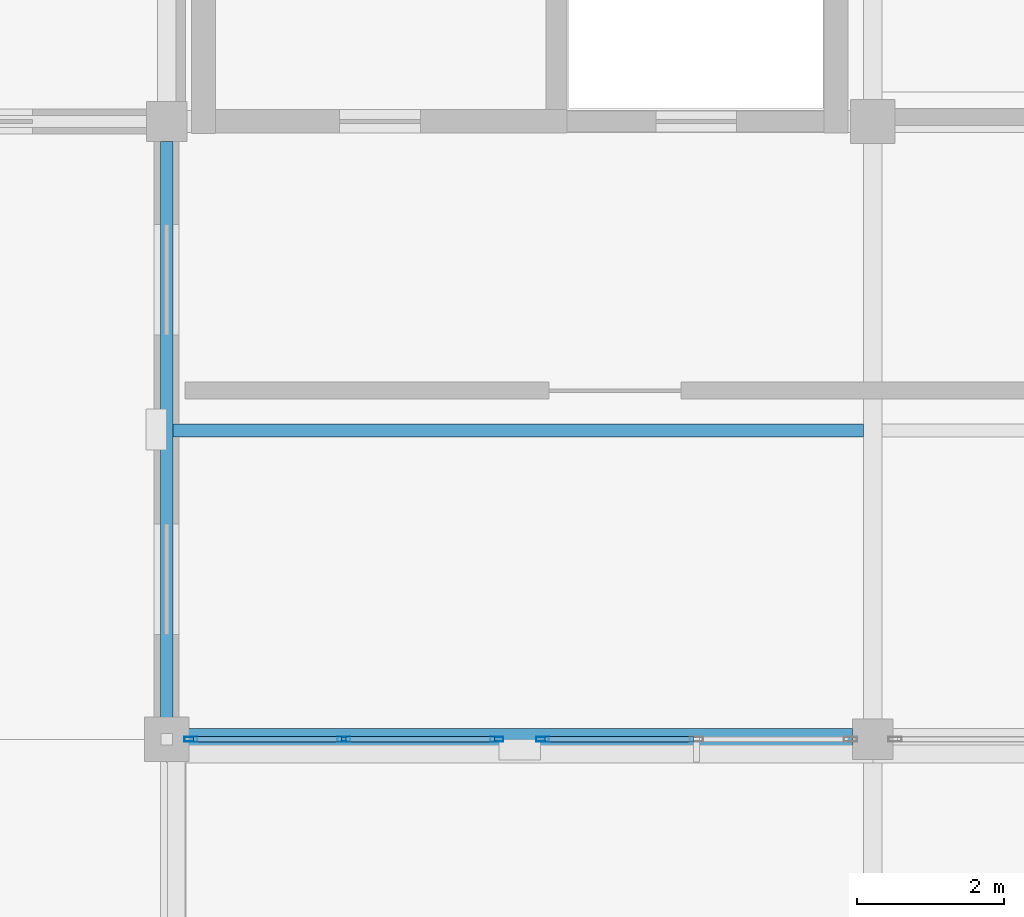
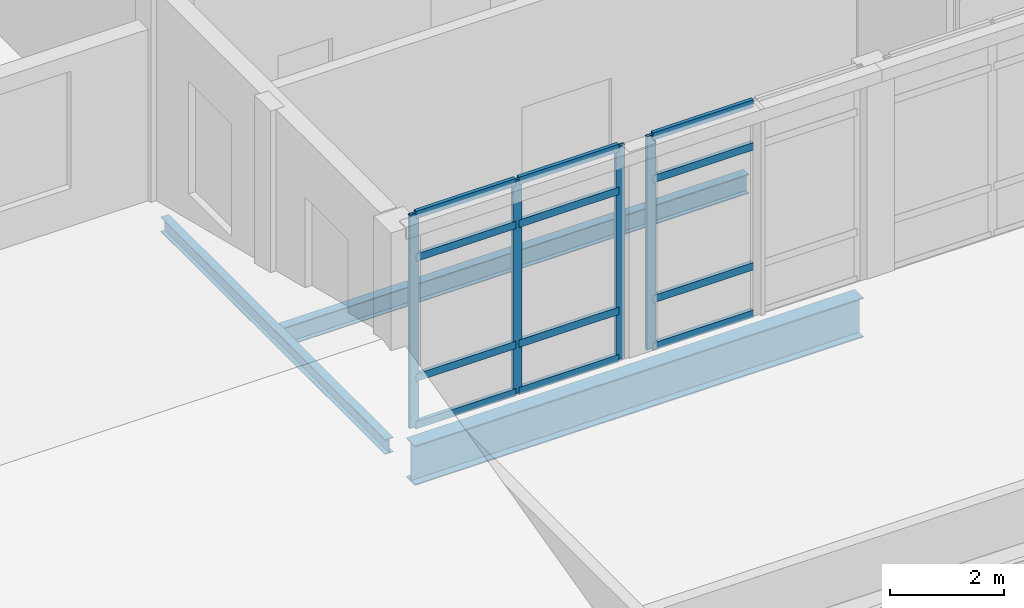
# One storey, part 12 of 52: 16 members, 3 beams, 2 elements without a shape of their own.
"""IFC4 building model written with IfcOpenShell, lengths in metres."""

from ifc_helpers import new_model, si_unit, direction, frame, origin, origin_2d, place, context, subcontext, project, spatial, hollow_rectangle, i_section, extrude, material, layer, layer_set, material_profile, profile_set, type_object, element, aggregate, save


model = new_model("IFC4")

# Units and contexts
model_context = context("Model", 3, precision=1e-05, world=origin(), true_north=direction((0.0, 1.0)))
body_context = subcontext(model_context, "Body", "Model", "MODEL_VIEW")
ifc_project = project(units=[si_unit("LENGTHUNIT", "METRE"), si_unit("AREAUNIT", "SQUARE_METRE"), si_unit("VOLUMEUNIT", "CUBIC_METRE"), si_unit("PLANEANGLEUNIT", "RADIAN"), si_unit("MASSUNIT", "GRAM", prefix="KILO")], contexts=[model_context])

# Site, building, storey
site_placement = place(None, origin())
site = spatial("IfcSite", under=ifc_project, at=site_placement, CompositionType="ELEMENT")
building_placement = place(site_placement, origin())
building = spatial("IfcBuilding", under=site, at=building_placement, Name="Lornevale Opera House", CompositionType="ELEMENT")
storey_placement = place(building_placement, frame((0.0, 0.0, 15.0)))
storey = spatial("IfcBuildingStorey", under=building, at=storey_placement, Name="L04", CompositionType="ELEMENT", Elevation=15.0)

# Curtain wall, member
ifc_material_1 = material(Name="Anodized Oxide-Green Aluminium Framing", Category="aluminium")
ifc_layer = layer(ifc_material_1, 0.18505859375)
ifc_layer_set = layer_set([ifc_layer], Name="Anodized Oxide-Green Aluminium Framing")
curtain_wall_type = type_object("IfcCurtainWallType", Name="Conservatory Curtain Wall M2100", PredefinedType="NOTDEFINED", material=ifc_layer_set)
curtain_wall_1_placement = place(storey_placement, origin())
curtain_wall_1 = element("IfcCurtainWall", 1, at=curtain_wall_1_placement, inside=storey, type_object=curtain_wall_type, Name="Conservatory Curtain Wall M2100 CW-149", PredefinedType="NOTDEFINED")
ifc_material_profile_1 = material_profile(ifc_material_1, hollow_rectangle(XDim=0.06494140625, YDim=0.179931640625, WallThickness=0.0048828125, at=origin_2d()), Name="ALU65x180x5")
ifc_profile_set_1 = profile_set([ifc_material_profile_1], Name="Anodized Oxide-Green Aluminium Framing")
member_type_1 = type_object("IfcMemberType", Name="Curtain Wall Mullion 65x180", PredefinedType="MULLION", material=ifc_profile_set_1)
member_1_placement = place(storey_placement, frame((110.71240234375, 25.199951171875, 0.0), z_axis=(0.0, 0.0, 1.0), x_axis=(0.0, -1.0, 0.0)))
member_1 = element("IfcMember", 2, at=member_1_placement, type_object=member_type_1, Name="Curtain Wall Mullion 65x180 CW3087", PredefinedType="MULLION", context=body_context, shape_type="SweptSolid", body=[
    extrude(hollow_rectangle(XDim=0.06494140625, YDim=0.179931640625, WallThickness=0.0048828125, at=origin_2d()), origin(), (0.0, 0.0, 1.0), 4.56005859375),
])

# Curtain wall, members
curtain_wall_2_placement = place(storey_placement, origin())
curtain_wall_2 = element("IfcCurtainWall", 3, at=curtain_wall_2_placement, inside=storey, type_object=curtain_wall_type, Name="Conservatory Curtain Wall M2100 CW-150", PredefinedType="NOTDEFINED")
member_2_placement = place(storey_placement, frame((110.08740234375, 25.199951171875, 0.0), z_axis=(0.0, 0.0, 1.0), x_axis=(0.0, -1.0, 0.0)))
member_2 = element("IfcMember", 4, at=member_2_placement, type_object=member_type_1, Name="Curtain Wall Mullion 65x180 CW3102", PredefinedType="MULLION", context=body_context, shape_type="SweptSolid", body=[
    extrude(hollow_rectangle(XDim=0.06494140625, YDim=0.179931640625, WallThickness=0.0048828125, at=origin_2d()), origin(), (0.0, 0.0, 1.0), 4.56005859375),
])
member_3_placement = place(storey_placement, frame((108.008056640625, 25.199951171875, 0.0), z_axis=(0.0, 0.0, 1.0), x_axis=(0.0, -1.0, 0.0)))
member_3 = element("IfcMember", 5, at=member_3_placement, type_object=member_type_1, Name="Curtain Wall Mullion 65x180 CW3103", PredefinedType="MULLION", context=body_context, shape_type="SweptSolid", body=[
    extrude(hollow_rectangle(XDim=0.06494140625, YDim=0.179931640625, WallThickness=0.0048828125, at=origin_2d()), origin(), (0.0, 0.0, 1.0), 4.56005859375),
])
member_4_placement = place(storey_placement, frame((105.928466796875, 25.199951171875, 0.0), z_axis=(0.0, 0.0, 1.0), x_axis=(0.0, -1.0, 0.0)))
member_4 = element("IfcMember", 6, at=member_4_placement, type_object=member_type_1, Name="Curtain Wall Mullion 65x180 CW3104", PredefinedType="MULLION", context=body_context, shape_type="SweptSolid", body=[
    extrude(hollow_rectangle(XDim=0.06494140625, YDim=0.179931640625, WallThickness=0.0048828125, at=origin_2d()), origin(), (0.0, 0.0, 1.0), 4.56005859375),
])

# Member
ifc_material_profile_2 = material_profile(ifc_material_1, hollow_rectangle(XDim=0.074951171875, YDim=0.159912109375, WallThickness=0.0048828125, at=origin_2d()), Name="ALU75x160x5")
ifc_profile_set_2 = profile_set([ifc_material_profile_2], Name="Anodized Oxide-Green Aluminium Framing")
member_type_2 = type_object("IfcMemberType", Name="Curtain Wall Transom 75x160", PredefinedType="USERDEFINED", material=ifc_profile_set_2)
member_5_placement = place(storey_placement, frame((112.77197265625, 25.199951171875, 0.03759765625), z_axis=(-1.0, 0.0, 0.0), x_axis=(0.0, -1.0, 0.0)))
member_5 = element("IfcMember", 7, at=member_5_placement, type_object=member_type_2, Name="Curtain Wall Transom 75x160 CW3095", ObjectType="TRANSOM", PredefinedType="USERDEFINED", context=body_context, shape_type="SweptSolid", body=[
    extrude(hollow_rectangle(XDim=0.074951171875, YDim=0.159912109375, WallThickness=0.0048828125, at=origin_2d()), origin(), (0.0, 0.0, 1.0), 2.02685546875),
])

member_6_placement = place(storey_placement, frame((112.77197265625, 25.199951171875, 1.050048828125), z_axis=(-1.0, 0.0, 0.0), x_axis=(0.0, -1.0, 0.0)))
member_6 = element("IfcMember", 8, at=member_6_placement, type_object=member_type_2, Name="Curtain Wall Transom 75x160 CW3096", ObjectType="TRANSOM", PredefinedType="USERDEFINED", context=body_context, shape_type="SweptSolid", body=[
    extrude(hollow_rectangle(XDim=0.074951171875, YDim=0.159912109375, WallThickness=0.0048828125, at=origin_2d()), origin(), (0.0, 0.0, 1.0), 2.02685546875),
])

member_7_placement = place(storey_placement, frame((112.77197265625, 25.199951171875, 3.610107421875), z_axis=(-1.0, 0.0, 0.0), x_axis=(0.0, -1.0, 0.0)))
member_7 = element("IfcMember", 9, at=member_7_placement, type_object=member_type_2, Name="Curtain Wall Transom 75x160 CW3097", ObjectType="TRANSOM", PredefinedType="USERDEFINED", context=body_context, shape_type="SweptSolid", body=[
    extrude(hollow_rectangle(XDim=0.074951171875, YDim=0.159912109375, WallThickness=0.0048828125, at=origin_2d()), origin(), (0.0, 0.0, 1.0), 2.02685546875),
])

member_8_placement = place(storey_placement, frame((112.77197265625, 25.199951171875, 4.5224609375), z_axis=(-1.0, 0.0, 0.0), x_axis=(0.0, -1.0, 0.0)))
member_8 = element("IfcMember", 10, at=member_8_placement, type_object=member_type_2, Name="Curtain Wall Transom 75x160 CW3098", ObjectType="TRANSOM", PredefinedType="USERDEFINED", context=body_context, shape_type="SweptSolid", body=[
    extrude(hollow_rectangle(XDim=0.074951171875, YDim=0.159912109375, WallThickness=0.0048828125, at=origin_2d()), origin(), (0.0, 0.0, 1.0), 2.02685546875),
])

aggregate(curtain_wall_1, [member_1, member_5, member_6, member_7, member_8])

member_9_placement = place(storey_placement, frame((110.054931640625, 25.199951171875, 0.03759765625), z_axis=(-1.0, 0.0, 0.0), x_axis=(0.0, -1.0, 0.0)))
member_9 = element("IfcMember", 11, at=member_9_placement, type_object=member_type_2, Name="Curtain Wall Transom 75x160 CW3105", ObjectType="TRANSOM", PredefinedType="USERDEFINED", context=body_context, shape_type="SweptSolid", body=[
    extrude(hollow_rectangle(XDim=0.074951171875, YDim=0.159912109375, WallThickness=0.0048828125, at=origin_2d()), origin(), (0.0, 0.0, 1.0), 2.014404296875),
])

member_10_placement = place(storey_placement, frame((110.054931640625, 25.199951171875, 1.050048828125), z_axis=(-1.0, 0.0, 0.0), x_axis=(0.0, -1.0, 0.0)))
member_10 = element("IfcMember", 12, at=member_10_placement, type_object=member_type_2, Name="Curtain Wall Transom 75x160 CW3106", ObjectType="TRANSOM", PredefinedType="USERDEFINED", context=body_context, shape_type="SweptSolid", body=[
    extrude(hollow_rectangle(XDim=0.074951171875, YDim=0.159912109375, WallThickness=0.0048828125, at=origin_2d()), origin(), (0.0, 0.0, 1.0), 2.014404296875),
])

member_11_placement = place(storey_placement, frame((110.054931640625, 25.199951171875, 3.610107421875), z_axis=(-1.0, 0.0, 0.0), x_axis=(0.0, -1.0, 0.0)))
member_11 = element("IfcMember", 13, at=member_11_placement, type_object=member_type_2, Name="Curtain Wall Transom 75x160 CW3107", ObjectType="TRANSOM", PredefinedType="USERDEFINED", context=body_context, shape_type="SweptSolid", body=[
    extrude(hollow_rectangle(XDim=0.074951171875, YDim=0.159912109375, WallThickness=0.0048828125, at=origin_2d()), origin(), (0.0, 0.0, 1.0), 2.014404296875),
])

member_12_placement = place(storey_placement, frame((110.054931640625, 25.199951171875, 4.5224609375), z_axis=(-1.0, 0.0, 0.0), x_axis=(0.0, -1.0, 0.0)))
member_12 = element("IfcMember", 14, at=member_12_placement, type_object=member_type_2, Name="Curtain Wall Transom 75x160 CW3108", ObjectType="TRANSOM", PredefinedType="USERDEFINED", context=body_context, shape_type="SweptSolid", body=[
    extrude(hollow_rectangle(XDim=0.074951171875, YDim=0.159912109375, WallThickness=0.0048828125, at=origin_2d()), origin(), (0.0, 0.0, 1.0), 2.014404296875),
])

member_13_placement = place(storey_placement, frame((107.9755859375, 25.199951171875, 0.03759765625), z_axis=(-1.0, 0.0, 0.0), x_axis=(0.0, -1.0, 0.0)))
member_13 = element("IfcMember", 15, at=member_13_placement, type_object=member_type_2, Name="Curtain Wall Transom 75x160 CW3112", ObjectType="TRANSOM", PredefinedType="USERDEFINED", context=body_context, shape_type="SweptSolid", body=[
    extrude(hollow_rectangle(XDim=0.074951171875, YDim=0.159912109375, WallThickness=0.0048828125, at=origin_2d()), origin(), (0.0, 0.0, 1.0), 2.0146484375),
])

member_14_placement = place(storey_placement, frame((107.9755859375, 25.199951171875, 1.050048828125), z_axis=(-1.0, 0.0, 0.0), x_axis=(0.0, -1.0, 0.0)))
member_14 = element("IfcMember", 16, at=member_14_placement, type_object=member_type_2, Name="Curtain Wall Transom 75x160 CW3113", ObjectType="TRANSOM", PredefinedType="USERDEFINED", context=body_context, shape_type="SweptSolid", body=[
    extrude(hollow_rectangle(XDim=0.074951171875, YDim=0.159912109375, WallThickness=0.0048828125, at=origin_2d()), origin(), (0.0, 0.0, 1.0), 2.0146484375),
])

member_15_placement = place(storey_placement, frame((107.9755859375, 25.199951171875, 3.610107421875), z_axis=(-1.0, 0.0, 0.0), x_axis=(0.0, -1.0, 0.0)))
member_15 = element("IfcMember", 17, at=member_15_placement, type_object=member_type_2, Name="Curtain Wall Transom 75x160 CW3114", ObjectType="TRANSOM", PredefinedType="USERDEFINED", context=body_context, shape_type="SweptSolid", body=[
    extrude(hollow_rectangle(XDim=0.074951171875, YDim=0.159912109375, WallThickness=0.0048828125, at=origin_2d()), origin(), (0.0, 0.0, 1.0), 2.0146484375),
])

member_16_placement = place(storey_placement, frame((107.9755859375, 25.199951171875, 4.5224609375), z_axis=(-1.0, 0.0, 0.0), x_axis=(0.0, -1.0, 0.0)))
member_16 = element("IfcMember", 18, at=member_16_placement, type_object=member_type_2, Name="Curtain Wall Transom 75x160 CW3115", ObjectType="TRANSOM", PredefinedType="USERDEFINED", context=body_context, shape_type="SweptSolid", body=[
    extrude(hollow_rectangle(XDim=0.074951171875, YDim=0.159912109375, WallThickness=0.0048828125, at=origin_2d()), origin(), (0.0, 0.0, 1.0), 2.0146484375),
])

aggregate(curtain_wall_2, [member_2, member_3, member_4, member_9, member_10, member_11, member_12, member_13, member_14, member_15, member_16])

# Beams
ifc_material_2 = material(Name="Structural Steel CSA G40.21 Grade 350W (350 MPa)", Category="steel")
ifc_material_profile_3 = material_profile(ifc_material_2, i_section(OverallWidth=0.299072265625, OverallDepth=0.845947265625, WebThickness=0.015380859375, FlangeThickness=0.0244140625, at=origin_2d()), Name="W840x210")
ifc_profile_set_3 = profile_set([ifc_material_profile_3], Name="Structural Steel CSA G40.21 Grade 350W (350 MPa)")
beam_type_1 = type_object("IfcBeamType", Name="Steel Clear-Span Girder W840x210", PredefinedType="USERDEFINED", material=ifc_profile_set_3)
beam_1_placement = place(storey_placement, frame((105.875, 25.199951171875, -0.72802734375), z_axis=(1.0, 0.0, 0.0), x_axis=(0.0, 1.0, 0.0)))
element("IfcBeam", 19, at=beam_1_placement, inside=storey, type_object=beam_type_1, Name="Steel Clear-Span Girder W840x210 2475", ObjectType="GIRDER", PredefinedType="USERDEFINED", context=body_context, shape_type="SweptSolid", body=[
    extrude(i_section(OverallWidth=0.299072265625, OverallDepth=0.845947265625, WebThickness=0.015380859375, FlangeThickness=0.0244140625, at=origin_2d()), origin(), (0.0, 0.0, 1.0), 9.050048828125),
])
ifc_material_profile_4 = material_profile(ifc_material_2, i_section(OverallWidth=0.179931640625, OverallDepth=0.4130859375, WebThickness=0.009765625, FlangeThickness=0.01611328125, at=origin_2d()), Name="W410x74")
ifc_profile_set_4 = profile_set([ifc_material_profile_4], Name="Structural Steel CSA G40.21 Grade 350W (350 MPa)")
beam_type_2 = type_object("IfcBeamType", Name="Steel Floor Joist W410x74", PredefinedType="JOIST", material=ifc_profile_set_4)
beam_2_placement = place(storey_placement, frame((105.68359375, 29.39990234375, -0.511474609375), z_axis=(1.0, 0.0, 0.0), x_axis=(0.0, 1.0, 0.0)))
element("IfcBeam", 20, at=beam_2_placement, inside=storey, type_object=beam_type_2, Name="Steel Floor Joist W410x74 2690", PredefinedType="JOIST", context=body_context, shape_type="SweptSolid", body=[
    extrude(i_section(OverallWidth=0.179931640625, OverallDepth=0.4130859375, WebThickness=0.009765625, FlangeThickness=0.01611328125, at=origin_2d()), origin(), (0.0, 0.0, 1.0), 9.389404296875),
])
ifc_material_profile_5 = material_profile(ifc_material_2, i_section(OverallWidth=0.1669921875, OverallDepth=0.31689453125, WebThickness=0.007568359375, FlangeThickness=0.01318359375, at=origin_2d()), Name="W310x52")
ifc_profile_set_5 = profile_set([ifc_material_profile_5], Name="Structural Steel CSA G40.21 Grade 350W (350 MPa)")
beam_type_3 = type_object("IfcBeamType", Name="Steel Spandrel Beam W310x52", PredefinedType="SPANDREL", material=ifc_profile_set_5)
beam_3_placement = place(storey_placement, frame((105.60009765625, 25.47509765625, -0.46337890625), z_axis=(0.0, 1.0, 0.0), x_axis=(-1.0, 0.0, 0.0)))
element("IfcBeam", 21, at=beam_3_placement, inside=storey, type_object=beam_type_3, Name="Steel Spandrel Beam W310x52 2614", PredefinedType="SPANDREL", context=body_context, shape_type="SweptSolid", body=[
    extrude(i_section(OverallWidth=0.1669921875, OverallDepth=0.31689453125, WebThickness=0.007568359375, FlangeThickness=0.01318359375, at=origin_2d()), origin(), (0.0, 0.0, 1.0), 7.849853515625),
])

save(model, "model.ifc")
